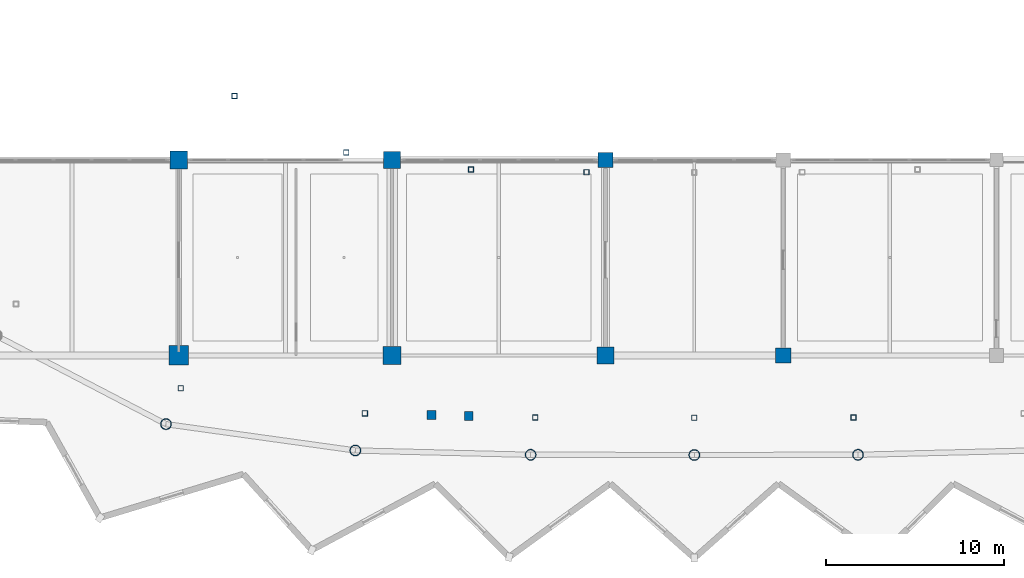
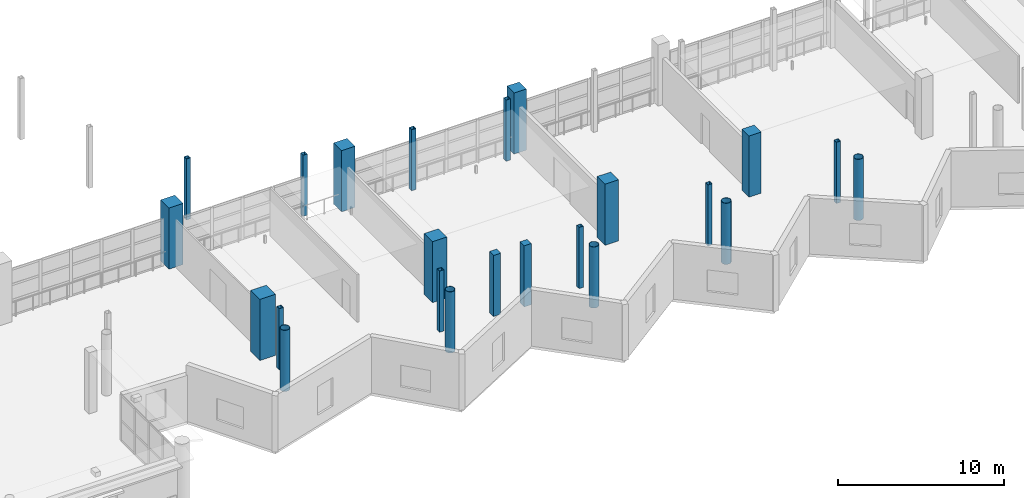
# One storey, part 5 of 118: 23 columns.
"""IFC4 building model written with IfcOpenShell, lengths in metres."""

from ifc_helpers import new_model, si_unit, direction, frame, origin, origin_2d, place, context, subcontext, project, spatial, rectangle, hollow_rectangle, hollow_circle, extrude, material, material_profile, profile_set, type_object, element, save


model = new_model("IFC4")

# Units and contexts
model_context = context("Model", 3, precision=1e-05, world=origin(), true_north=direction((0.0, 1.0)))
body_context = subcontext(model_context, "Body", "Model", "MODEL_VIEW")
ifc_project = project(units=[si_unit("LENGTHUNIT", "METRE"), si_unit("AREAUNIT", "SQUARE_METRE"), si_unit("VOLUMEUNIT", "CUBIC_METRE"), si_unit("PLANEANGLEUNIT", "RADIAN"), si_unit("MASSUNIT", "GRAM", prefix="KILO")], contexts=[model_context])

# Site, building, storey
site_placement = place(None, origin())
site = spatial("IfcSite", under=ifc_project, at=site_placement, CompositionType="ELEMENT")
building_placement = place(site_placement, origin())
building = spatial("IfcBuilding", under=site, at=building_placement, Name="Luwafu Chhajja Arena", CompositionType="ELEMENT")
storey_placement = place(building_placement, frame((0.0, 0.0, 10.199951171875)))
storey = spatial("IfcBuildingStorey", under=building, at=storey_placement, Name="L02", CompositionType="ELEMENT", Elevation=10.199951171875)

# Columns
ifc_material_1 = material(Name="Concrete C40/50", Category="concrete")
ifc_material_profile_1 = material_profile(ifc_material_1, rectangle(XDim=1.0, YDim=1.0, at=origin_2d()), Name="RC 1000x1000")
ifc_profile_set_1 = profile_set([ifc_material_profile_1], Name="Concrete C40/50")
column_type_1 = type_object("IfcColumnType", Name="Bowl Primary Column RC 1000", PredefinedType="COLUMN", material=ifc_profile_set_1)
for number, where, z_axis, x_axis, name in (
    (1, (70.0, 22.0, 0.0), (0.0, 0.0, 1.0), (1.0, 0.0, 0.0), "L02 Grid Column 7/C"),
    (2, (82.0, 11.0, 0.0), (0.0, 0.0, 1.0), (1.0, 0.0, 0.0), "L02 Grid Column 8/B"),
):
    element("IfcColumn", number, at=place(storey_placement, frame(where, z_axis=z_axis, x_axis=x_axis)), inside=storey, type_object=column_type_1, Name=name, PredefinedType="COLUMN", context=body_context, shape_type="SweptSolid", body=[
        extrude(rectangle(XDim=1.0, YDim=1.0, at=origin_2d()), origin(), (0.0, 0.0, 1.0), 4.5),
    ])
ifc_material_profile_2 = material_profile(ifc_material_1, rectangle(XDim=0.949951171875, YDim=0.949951171875, at=origin_2d()), Name="RC 950x950")
ifc_profile_set_2 = profile_set([ifc_material_profile_2], Name="Concrete C40/50")
column_type_2 = type_object("IfcColumnType", Name="Bowl Raker Support Column RC 950", PredefinedType="COLUMN", material=ifc_profile_set_2)
for number, where, z_axis, x_axis, name in (
    (3, (82.0, 22.0, 0.0), (0.0, 0.0, 1.0), (1.0, 0.0, 0.0), "L02 Grid Column 8/C"),
    (4, (94.0, 11.0, 0.0), (0.0, 0.0, 1.0), (1.0, 0.0, 0.0), "L02 Grid Column 9/B"),
):
    element("IfcColumn", number, at=place(storey_placement, frame(where, z_axis=z_axis, x_axis=x_axis)), inside=storey, type_object=column_type_2, Name=name, PredefinedType="COLUMN", context=body_context, shape_type="SweptSolid", body=[
        extrude(rectangle(XDim=0.949951171875, YDim=0.949951171875, at=origin_2d()), origin(), (0.0, 0.0, 1.0), 4.5),
    ])
ifc_material_profile_3 = material_profile(ifc_material_1, rectangle(XDim=1.10009765625, YDim=1.10009765625, at=origin_2d()), Name="RC 1100x1100")
ifc_profile_set_3 = profile_set([ifc_material_profile_3], Name="Concrete C40/50")
column_type_3 = type_object("IfcColumnType", Name="Bowl Rim Mega Column RC 1100", PredefinedType="COLUMN", material=ifc_profile_set_3)
column_placement = place(storey_placement, frame((70.0, 11.0, 0.0), z_axis=(0.0, 0.0, 1.0), x_axis=(1.0, 0.0, 0.0)))
element("IfcColumn", 5, at=column_placement, inside=storey, type_object=column_type_3, Name="L02 Grid Column 7/B", PredefinedType="COLUMN", context=body_context, shape_type="SweptSolid", body=[
    extrude(rectangle(XDim=1.10009765625, YDim=1.10009765625, at=origin_2d()), origin(), (0.0, 0.0, 1.0), 4.5),
])
ifc_material_2 = material(Name="Concrete C35/45", Category="concrete")
ifc_material_profile_4 = material_profile(ifc_material_2, rectangle(XDim=0.85009765625, YDim=0.85009765625, at=origin_2d()), Name="RC 850x850")
ifc_profile_set_4 = profile_set([ifc_material_profile_4], Name="Concrete C35/45")
column_type_4 = type_object("IfcColumnType", Name="Concourse Heavy Column RC 850", PredefinedType="COLUMN", material=ifc_profile_set_4)
for number, where, z_axis, x_axis, name in (
    (6, (94.0, 22.0, 0.0), (0.0, 0.0, 1.0), (1.0, 0.0, 0.0), "L02 Grid Column 9/C"),
    (7, (104.0, 11.0, 0.0), (0.0, 0.0, 1.0), (1.0, 0.0, 0.0), "L02 Grid Column 10/B"),
):
    element("IfcColumn", number, at=place(storey_placement, frame(where, z_axis=z_axis, x_axis=x_axis)), inside=storey, type_object=column_type_4, Name=name, PredefinedType="COLUMN", context=body_context, shape_type="SweptSolid", body=[
        extrude(rectangle(XDim=0.85009765625, YDim=0.85009765625, at=origin_2d()), origin(), (0.0, 0.0, 1.0), 4.5),
    ])
ifc_material_profile_5 = material_profile(ifc_material_2, rectangle(XDim=0.5, YDim=0.5, at=origin_2d()), Name="RC 500x500")
ifc_profile_set_5 = profile_set([ifc_material_profile_5], Name="Concrete C35/45")
column_type_5 = type_object("IfcColumnType", Name="Pavilion Column RC 500", PredefinedType="COLUMN", material=ifc_profile_set_5)
for number, where, z_axis, x_axis, name in (
    (8, (84.210205078125, 7.652587890625, 0.0), (0.0, 0.0, 1.0), (1.0, 0.0, 0.0), "L02 Vomitory Stack Column VU23A"),
    (9, (86.3095703125, 7.601806640625, 0.0), (0.0, 0.0, 1.0), (1.0, 0.0, 0.0), "L02 Vomitory Stack Column VU23B"),
):
    element("IfcColumn", number, at=place(storey_placement, frame(where, z_axis=z_axis, x_axis=x_axis)), inside=storey, type_object=column_type_5, Name=name, PredefinedType="COLUMN", context=body_context, shape_type="SweptSolid", body=[
        extrude(rectangle(XDim=0.5, YDim=0.5, at=origin_2d()), origin(), (0.0, 0.0, 1.0), 4.5),
    ])
ifc_material_3 = material(Name="Steel S355", Category="steel")
ifc_material_profile_6 = material_profile(ifc_material_3, hollow_circle(Radius=0.304931640625, WallThickness=0.02490234375, at=origin_2d()), Name="CHS 610x25")
ifc_profile_set_6 = profile_set([ifc_material_profile_6], Name="Steel S355")
column_type_6 = type_object("IfcColumnType", Name="Steel Bowl Drum Column CHS 610", PredefinedType="COLUMN", material=ifc_profile_set_6)
for number, where, z_axis, x_axis, name in (
    (10, (69.281982421875, 7.13720703125, 0.0), (0.0, 0.0, 1.0), (1.0, 0.0, 0.0), "L02 Bowl Drum Column D22"),
    (11, (79.932861328125, 5.6552734375, 0.0), (0.0, 0.0, 1.0), (1.0, 0.0, 0.0), "L02 Bowl Drum Column D23"),
    (12, (89.792724609375, 5.411865234375, 0.0), (0.0, 0.0, 1.0), (1.0, 0.0, 0.0), "L02 Bowl Drum Column D24"),
    (13, (99.0, 5.39990234375, 0.0), (0.0, 0.0, 1.0), (1.0, 0.0, 0.0), "L02 Bowl Drum Column D25"),
    (14, (108.207275390625, 5.411865234375, 0.0), (0.0, 0.0, 1.0), (1.0, 0.0, 0.0), "L02 Bowl Drum Column D26"),
):
    element("IfcColumn", number, at=place(storey_placement, frame(where, z_axis=z_axis, x_axis=x_axis)), inside=storey, type_object=column_type_6, Name=name, PredefinedType="COLUMN", context=body_context, shape_type="SweptSolid", body=[
        extrude(hollow_circle(Radius=0.304931640625, WallThickness=0.02490234375, at=origin_2d()), origin(), (0.0, 0.0, 1.0), 4.5),
    ])
ifc_material_profile_7 = material_profile(ifc_material_3, hollow_rectangle(XDim=0.300048828125, YDim=0.300048828125, WallThickness=0.01611328125, at=origin_2d()), Name="SHS 300x300x16")
ifc_profile_set_7 = profile_set([ifc_material_profile_7], Name="Steel S355")
column_type_7 = type_object("IfcColumnType", Name="Steel Gallery Post SHS 300", PredefinedType="COLUMN", material=ifc_profile_set_7)
for number, where, z_axis, x_axis, name in (
    (15, (73.14013671875, 25.590087890625, 0.0), (0.0, 0.0, 1.0), (1.0, 0.0, 0.0), "L02 Upper Bowl Raker Column UI21"),
    (16, (79.42333984375, 22.410888671875, 0.0), (0.0, 0.0, 1.0), (1.0, 0.0, 0.0), "L02 Upper Bowl Raker Column UI22"),
    (17, (86.439697265625, 21.463134765625, 0.0), (0.0, 0.0, 1.0), (1.0, 0.0, 0.0), "L02 Upper Bowl Raker Column UI23"),
    (18, (92.934814453125, 21.3076171875, 0.0), (0.0, 0.0, 1.0), (1.0, 0.0, 0.0), "L02 Upper Bowl Raker Column UI24"),
    (19, (70.116455078125, 9.154541015625, 0.0), (0.0, 0.0, 1.0), (1.0, 0.0, 0.0), "L02 Upper Bowl Raker Column UO22"),
    (20, (80.46826171875, 7.7431640625, 0.0), (0.0, 0.0, 1.0), (1.0, 0.0, 0.0), "L02 Upper Bowl Raker Column UO23"),
    (21, (90.051513671875, 7.51123046875, 0.0), (0.0, 0.0, 1.0), (1.0, 0.0, 0.0), "L02 Upper Bowl Raker Column UO24"),
    (22, (99.0, 7.5, 0.0), (0.0, 0.0, 1.0), (1.0, 0.0, 0.0), "L02 Upper Bowl Raker Column UO25"),
    (23, (107.948486328125, 7.51123046875, 0.0), (0.0, 0.0, 1.0), (1.0, 0.0, 0.0), "L02 Upper Bowl Raker Column UO26"),
):
    element("IfcColumn", number, at=place(storey_placement, frame(where, z_axis=z_axis, x_axis=x_axis)), inside=storey, type_object=column_type_7, Name=name, PredefinedType="COLUMN", context=body_context, shape_type="SweptSolid", body=[
        extrude(hollow_rectangle(XDim=0.300048828125, YDim=0.300048828125, WallThickness=0.01611328125, at=origin_2d()), origin(), (0.0, 0.0, 1.0), 4.5),
    ])

save(model, "model.ifc")
